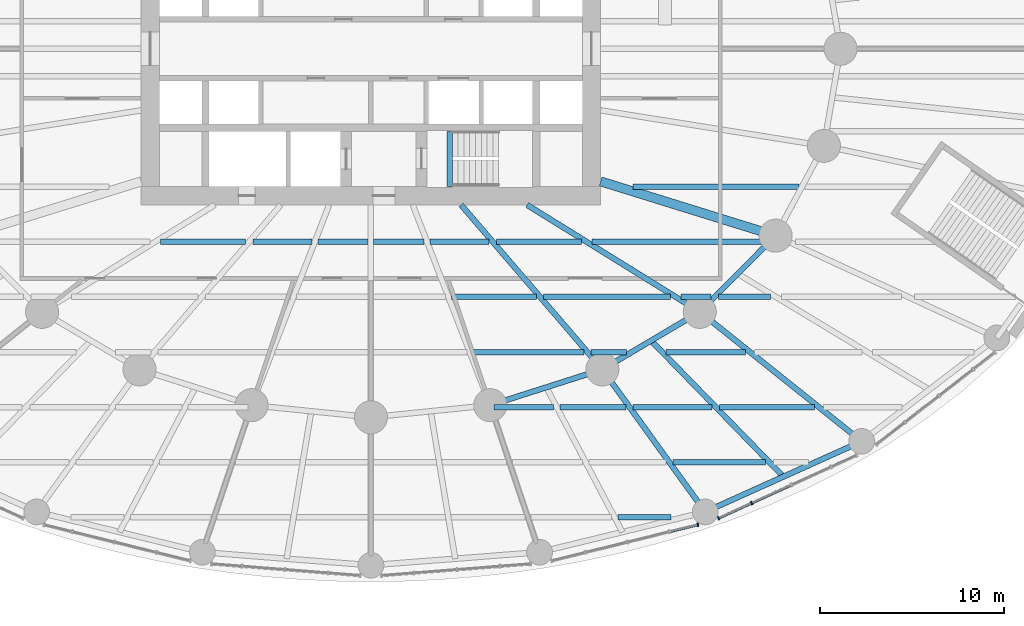
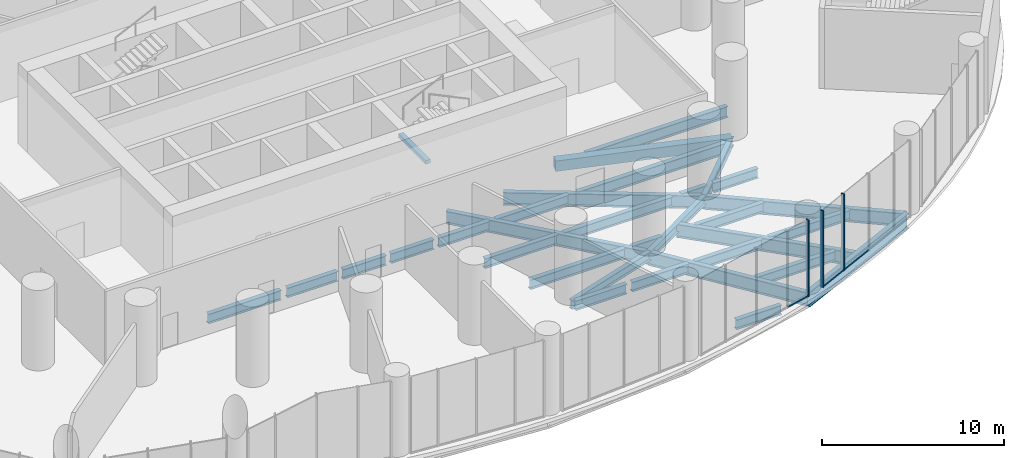
# One storey, part 5 of 23: 32 beams, 6 members, 2 elements without a shape of their own.
"""IFC4 building model written with IfcOpenShell, lengths in metres."""

from ifc_helpers import new_model, si_unit, direction, frame, origin, origin_2d, place, context, subcontext, project, spatial, rectangle, hollow_rectangle, i_section, extrude, material, material_profile, profile_set, type_object, element, aggregate, save


model = new_model("IFC4")

# Units and contexts
model_context = context("Model", 3, precision=1e-05, world=origin(), true_north=direction((0.0, 1.0)))
body_context = subcontext(model_context, "Body", "Model", "MODEL_VIEW")
ifc_project = project(units=[si_unit("LENGTHUNIT", "METRE"), si_unit("AREAUNIT", "SQUARE_METRE"), si_unit("VOLUMEUNIT", "CUBIC_METRE"), si_unit("PLANEANGLEUNIT", "RADIAN"), si_unit("MASSUNIT", "GRAM", prefix="KILO")], contexts=[model_context])

# Site, building, storey
site_placement = place(None, origin())
site = spatial("IfcSite", under=ifc_project, at=site_placement, CompositionType="ELEMENT")
building_placement = place(site_placement, origin())
building = spatial("IfcBuilding", under=site, at=building_placement, Name="Hankou Lantern Tower", CompositionType="ELEMENT")
storey_placement = place(building_placement, frame((0.0, 0.0, 19.199951171875)))
storey = spatial("IfcBuildingStorey", under=building, at=storey_placement, Name="L03", CompositionType="ELEMENT", Elevation=19.199951171875)

# Beams
ifc_material_1 = material(Name="Steel Q355B", Category="steel")
ifc_material_profile_1 = material_profile(ifc_material_1, i_section(OverallWidth=0.300048828125, OverallDepth=0.587890625, WebThickness=0.011962890625, FlangeThickness=0.02001953125, FilletRadius=0.01806640625, at=origin_2d()), Name="HM588x300x12x20")
ifc_profile_set_1 = profile_set([ifc_material_profile_1], Name="Steel Q355B")
beam_type_1 = type_object("IfcBeamType", Name="EB16 RING BEAM HM588x300x12x20", PredefinedType="SPANDREL", material=ifc_profile_set_1)
beam_1_placement = place(storey_placement, frame((6.494873046875, -19.391357421875, -0.5439453125), z_axis=(0.952690479428, 0.303942182671, 0.0), x_axis=(-0.303942182671, 0.952690479428, 0.0)))
element("IfcBeam", 1, at=beam_1_placement, inside=storey, type_object=beam_type_1, Name="Ring beam R20-R21 L03", PredefinedType="SPANDREL", context=body_context, shape_type="SweptSolid", body=[
    extrude(i_section(OverallWidth=0.300048828125, OverallDepth=0.587890625, WebThickness=0.011962890625, FlangeThickness=0.02001953125, FilletRadius=0.01806640625, at=origin_2d()), origin(), (0.0, 0.0, 1.0), 6.398681640625),
])
beam_2_placement = place(storey_placement, frame((12.5908203125, -17.446533203125, -0.5439453125), z_axis=(0.860881533543, 0.508805449268, 0.0), x_axis=(-0.508805449268, 0.860881533543, 0.0)))
element("IfcBeam", 2, at=beam_2_placement, inside=storey, type_object=beam_type_1, Name="Ring beam R21-R22 L03", PredefinedType="SPANDREL", context=body_context, shape_type="SweptSolid", body=[
    extrude(i_section(OverallWidth=0.300048828125, OverallDepth=0.587890625, WebThickness=0.011962890625, FlangeThickness=0.02001953125, FilletRadius=0.01806640625, at=origin_2d()), origin(), (0.0, 0.0, 1.0), 6.15771484375),
])
beam_3_placement = place(storey_placement, frame((17.891845703125, -14.3134765625, -0.5439453125), z_axis=(0.705727798394, 0.708483079949, 0.0), x_axis=(-0.708483079949, 0.705727798394, 0.0)))
element("IfcBeam", 3, at=beam_3_placement, inside=storey, type_object=beam_type_1, Name="Ring beam R22-R23 L03", PredefinedType="SPANDREL", context=body_context, shape_type="SweptSolid", body=[
    extrude(i_section(OverallWidth=0.300048828125, OverallDepth=0.587890625, WebThickness=0.011962890625, FlangeThickness=0.02001953125, FilletRadius=0.01806640625, at=origin_2d()), origin(), (0.0, 0.0, 1.0), 5.84814453125),
])
ifc_material_2 = material(Name="Concrete C40", Category="concrete")
ifc_material_profile_2 = material_profile(ifc_material_2, rectangle(XDim=0.300048828125, YDim=0.25, at=origin_2d()), Name="RC 300x250")
ifc_profile_set_2 = profile_set([ifc_material_profile_2], Name="Concrete C40")
beam_type_2 = type_object("IfcBeamType", Name="LB1 STAIR LANDING BEAM RC 300x250", PredefinedType="BEAM", material=ifc_profile_set_2)
beam_4_placement = place(storey_placement, frame((4.300048828125, -4.5, 2.574951171875), z_axis=(0.0, -1.0, 0.0), x_axis=(1.0, 0.0, 0.0)))
element("IfcBeam", 4, at=beam_4_placement, inside=storey, type_object=beam_type_2, Name="Stair STB landing beam L03", PredefinedType="BEAM", context=body_context, shape_type="SweptSolid", body=[
    extrude(rectangle(XDim=0.300048828125, YDim=0.25, at=origin_2d()), origin(), (0.0, 0.0, 1.0), 3.0),
])

# Curtain wall, member
ifc_material_3 = material(Name="Glass, dark grey tinted laminated", Category="glass")
curtain_wall_type = type_object("IfcCurtainWallType", Name="CWP PODIUM CURTAIN WALL", PredefinedType="USERDEFINED", material=ifc_material_3)
curtain_wall_1_placement = place(storey_placement, origin())
curtain_wall_1 = element("IfcCurtainWall", 5, at=curtain_wall_1_placement, inside=storey, type_object=curtain_wall_type, Name="CWP L03 PC16", ObjectType="PODIUM GLAZING", PredefinedType="USERDEFINED")
ifc_material_4 = material(Name="Aluminium, black anodised", Category="aluminium")
ifc_material_profile_3 = material_profile(ifc_material_4, rectangle(XDim=0.080078125, YDim=0.199951171875, at=origin_2d()), Name="MU2 80X200")
ifc_profile_set_3 = profile_set([ifc_material_profile_3], Name="Aluminium, black anodised")
member_type_1 = type_object("IfcMemberType", Name="MU2 PODIUM MULLION 80X200", PredefinedType="MULLION", material=ifc_profile_set_3)
member_1_placement = place(storey_placement, frame((17.785888671875, -25.892333984375, 0.0), z_axis=(0.0, 0.0, 1.0), x_axis=(0.970960955091, 0.239238006364, 0.0)))
member_1 = element("IfcMember", 6, at=member_1_placement, type_object=member_type_1, Name="CWP mullion 5", PredefinedType="MULLION", context=body_context, shape_type="SweptSolid", body=[
    extrude(rectangle(XDim=0.080078125, YDim=0.199951171875, at=origin_2d()), origin(), (0.0, 0.0, 1.0), 5.150146484375),
])

# Curtain wall, members
curtain_wall_2_placement = place(storey_placement, origin())
curtain_wall_2 = element("IfcCurtainWall", 7, at=curtain_wall_2_placement, inside=storey, type_object=curtain_wall_type, Name="CWP L03 PC17", ObjectType="PODIUM GLAZING", PredefinedType="USERDEFINED")
member_2_placement = place(storey_placement, frame((18.913818359375, -25.537841796875, 0.0), z_axis=(0.0, 0.0, 1.0), x_axis=(0.909669790944, 0.41533224224, 0.0)))
member_2 = element("IfcMember", 8, at=member_2_placement, type_object=member_type_1, Name="CWP mullion 1", PredefinedType="MULLION", context=body_context, shape_type="SweptSolid", body=[
    extrude(rectangle(XDim=0.080078125, YDim=0.199951171875, at=origin_2d()), origin(), (0.0, 0.0, 1.0), 5.150146484375),
])
member_3_placement = place(storey_placement, frame((20.711669921875, -24.717041015625, 0.0), z_axis=(0.0, 0.0, 1.0), x_axis=(0.909669790944, 0.41533224224, 0.0)))
member_3 = element("IfcMember", 9, at=member_3_placement, type_object=member_type_1, Name="CWP mullion 2", PredefinedType="MULLION", context=body_context, shape_type="SweptSolid", body=[
    extrude(rectangle(XDim=0.080078125, YDim=0.199951171875, at=origin_2d()), origin(), (0.0, 0.0, 1.0), 5.150146484375),
])

# Beams
ifc_material_5 = material(Name="Steel Q355B", Category="steel")
ifc_material_profile_4 = material_profile(ifc_material_5, i_section(OverallWidth=0.300048828125, OverallDepth=0.89990234375, WebThickness=0.01611328125, FlangeThickness=0.028076171875, FilletRadius=0.01806640625, at=origin_2d()), Name="HN900x300x16x28")
ifc_profile_set_4 = profile_set([ifc_material_profile_4], Name="Steel Q355B")
beam_type_3 = type_object("IfcBeamType", Name="PB13 PODIUM RADIAL BEAM HN900x300x16x28", PredefinedType="BEAM", material=ifc_profile_set_4)
beam_5_placement = place(storey_placement, frame((12.5908203125, -17.446533203125, -0.699951171875), z_axis=(0.585207097055, -0.810883871807, 0.0), x_axis=(0.810883871807, 0.585207097055, 0.0)))
element("IfcBeam", 10, at=beam_5_placement, inside=storey, type_object=beam_type_3, Name="Podium radial beam R21 L03", PredefinedType="BEAM", context=body_context, shape_type="SweptSolid", body=[
    extrude(i_section(OverallWidth=0.300048828125, OverallDepth=0.89990234375, WebThickness=0.01611328125, FlangeThickness=0.028076171875, FilletRadius=0.01806640625, at=origin_2d()), origin(), (0.0, 0.0, 1.0), 9.56103515625),
])
beam_6_placement = place(storey_placement, frame((17.891845703125, -14.3134765625, -0.699951171875), z_axis=(0.780875142676, -0.624687130931, 0.0), x_axis=(0.624687130931, 0.780875142676, 0.0)))
element("IfcBeam", 11, at=beam_6_placement, inside=storey, type_object=beam_type_3, Name="Podium radial beam R22 L03", PredefinedType="BEAM", context=body_context, shape_type="SweptSolid", body=[
    extrude(i_section(OverallWidth=0.300048828125, OverallDepth=0.89990234375, WebThickness=0.01611328125, FlangeThickness=0.028076171875, FilletRadius=0.01806640625, at=origin_2d()), origin(), (0.0, 0.0, 1.0), 11.28271484375),
])
ifc_material_6 = material(Name="Steel Q355B", Category="steel")
ifc_material_profile_5 = material_profile(ifc_material_6, i_section(OverallWidth=0.300048828125, OverallDepth=1.0, WebThickness=0.01904296875, FlangeThickness=0.035888671875, FilletRadius=0.01806640625, at=origin_2d()), Name="HN1000x300x19x36")
ifc_profile_set_5 = profile_set([ifc_material_profile_5], Name="Steel Q355B")
beam_type_4 = type_object("IfcBeamType", Name="PR22 PODIUM RING BEAM HN1000x300x19x36", PredefinedType="BEAM", material=ifc_profile_set_5)
beam_7_placement = place(storey_placement, frame((18.18603515625, -25.199462890625, -0.75), z_axis=(0.911695429723, 0.410866697874, 0.0), x_axis=(-0.410866697874, 0.911695429723, 0.0)))
element("IfcBeam", 12, at=beam_7_placement, inside=storey, type_object=beam_type_4, Name="Podium ring beam R21-R22 L03", PredefinedType="BEAM", context=body_context, shape_type="SweptSolid", body=[
    extrude(i_section(OverallWidth=0.300048828125, OverallDepth=1.0, WebThickness=0.01904296875, FlangeThickness=0.035888671875, FilletRadius=0.01806640625, at=origin_2d()), origin(), (0.0, 0.0, 1.0), 9.341064453125),
])
ifc_material_7 = material(Name="Steel Q355B", Category="steel")
ifc_material_profile_6 = material_profile(ifc_material_7, i_section(OverallWidth=0.300048828125, OverallDepth=0.89990234375, WebThickness=0.01611328125, FlangeThickness=0.028076171875, FilletRadius=0.01806640625, at=origin_2d()), Name="HN900x300x16x28")
ifc_profile_set_6 = profile_set([ifc_material_profile_6], Name="Steel Q355B")
beam_type_5 = type_object("IfcBeamType", Name="PS13 PODIUM SECONDARY BEAM HN900x300x16x28", PredefinedType="JOIST", material=ifc_profile_set_6)
beam_8_placement = place(storey_placement, frame((15.2412109375, -15.8798828125, -0.699951171875), z_axis=(0.697467529957, -0.716616385981, 0.0), x_axis=(0.716616385981, 0.697467529957, 0.0)))
element("IfcBeam", 13, at=beam_8_placement, inside=storey, type_object=beam_type_5, Name="Podium secondary beam bay R21 L03", PredefinedType="JOIST", context=body_context, shape_type="SweptSolid", body=[
    extrude(i_section(OverallWidth=0.300048828125, OverallDepth=0.89990234375, WebThickness=0.01611328125, FlangeThickness=0.028076171875, FilletRadius=0.01806640625, at=origin_2d()), origin(), (0.0, 0.0, 1.0), 10.3271484375),
])
ifc_material_8 = material(Name="Steel Q355B", Category="steel")
ifc_material_profile_7 = material_profile(ifc_material_8, i_section(OverallWidth=0.300048828125, OverallDepth=0.85009765625, WebThickness=0.01611328125, FlangeThickness=0.027099609375, FilletRadius=0.01806640625, at=origin_2d()), Name="HN850x300x16x27")
ifc_profile_set_7 = profile_set([ifc_material_profile_7], Name="Steel Q355B")
beam_type_6 = type_object("IfcBeamType", Name="RB12 RADIAL BEAM HN850x300x16x27", PredefinedType="BEAM", material=ifc_profile_set_7)
beam_9_placement = place(storey_placement, frame((4.907470703125, -8.5, -0.675048828125), z_axis=(0.651519061225, -0.758632264579, 0.0), x_axis=(0.758632264579, 0.651519061225, 0.0)))
element("IfcBeam", 14, at=beam_9_placement, inside=storey, type_object=beam_type_6, Name="Radial beam R21 L03", PredefinedType="BEAM", context=body_context, shape_type="SweptSolid", body=[
    extrude(i_section(OverallWidth=0.300048828125, OverallDepth=0.85009765625, WebThickness=0.01611328125, FlangeThickness=0.027099609375, FilletRadius=0.01806640625, at=origin_2d()), origin(), (0.0, 0.0, 1.0), 11.79296875),
])
beam_10_placement = place(storey_placement, frame((8.5, -8.5, -0.675048828125), z_axis=(0.850286343288, -0.526320372414, 0.0), x_axis=(0.526320372414, 0.850286343288, 0.0)))
element("IfcBeam", 15, at=beam_10_placement, inside=storey, type_object=beam_type_6, Name="Radial beam R22 L03", PredefinedType="BEAM", context=body_context, shape_type="SweptSolid", body=[
    extrude(i_section(OverallWidth=0.300048828125, OverallDepth=0.85009765625, WebThickness=0.01611328125, FlangeThickness=0.027099609375, FilletRadius=0.01806640625, at=origin_2d()), origin(), (0.0, 0.0, 1.0), 11.04541015625),
])
ifc_material_9 = material(Name="Steel Q355B", Category="steel")
ifc_material_profile_8 = material_profile(ifc_material_9, hollow_rectangle(XDim=0.5, YDim=0.699951171875, WallThickness=0.0400390625, at=origin_2d()), Name="BOX700x500x40")
ifc_profile_set_8 = profile_set([ifc_material_profile_8], Name="Steel Q355B")
beam_type_7 = type_object("IfcBeamType", Name="RB25 RADIAL BEAM BOX700x500x40", PredefinedType="BEAM", material=ifc_profile_set_8)
beam_11_placement = place(storey_placement, frame((12.5, -7.216796875, -0.599853515625), z_axis=(0.955087327755, -0.29632447817, 0.0), x_axis=(0.29632447817, 0.955087327755, 0.0)))
element("IfcBeam", 16, at=beam_11_placement, inside=storey, type_object=beam_type_7, Name="Radial beam R23 L03", PredefinedType="BEAM", context=body_context, shape_type="SweptSolid", body=[
    extrude(hollow_rectangle(XDim=0.5, YDim=0.699951171875, WallThickness=0.0400390625, at=origin_2d()), origin(), (0.0, 0.0, 1.0), 9.966552734375),
])
ifc_material_10 = material(Name="Steel Q355B", Category="steel")
ifc_material_profile_9 = material_profile(ifc_material_10, i_section(OverallWidth=0.300048828125, OverallDepth=0.75, WebThickness=0.012939453125, FlangeThickness=0.02392578125, FilletRadius=0.01806640625, at=origin_2d()), Name="HN750x300x13x24")
ifc_profile_set_9 = profile_set([ifc_material_profile_9], Name="Steel Q355B")
beam_type_8 = type_object("IfcBeamType", Name="SB10 SECONDARY BEAM HN750x300x13x24", PredefinedType="JOIST", material=ifc_profile_set_9)
beam_12_placement = place(storey_placement, frame((12.01611328125, -10.5, -0.625), z_axis=(1.0, 0.0, 0.0), x_axis=(0.0, 1.0, 0.0)))
element("IfcBeam", 17, at=beam_12_placement, inside=storey, type_object=beam_type_8, Name="Floor joist J067 L03", PredefinedType="JOIST", context=body_context, shape_type="SweptSolid", body=[
    extrude(i_section(OverallWidth=0.300048828125, OverallDepth=0.75, WebThickness=0.012939453125, FlangeThickness=0.02392578125, FilletRadius=0.01806640625, at=origin_2d()), origin(), (0.0, 0.0, 1.0), 9.462646484375),
])
beam_13_placement = place(storey_placement, frame((14.25634765625, -7.5, -0.625), z_axis=(1.0, 0.0, 0.0), x_axis=(0.0, 1.0, 0.0)))
element("IfcBeam", 18, at=beam_13_placement, inside=storey, type_object=beam_type_8, Name="Floor joist J072 L03", PredefinedType="JOIST", context=body_context, shape_type="SweptSolid", body=[
    extrude(i_section(OverallWidth=0.300048828125, OverallDepth=0.75, WebThickness=0.012939453125, FlangeThickness=0.02392578125, FilletRadius=0.01806640625, at=origin_2d()), origin(), (0.0, 0.0, 1.0), 9.0283203125),
])
ifc_material_11 = material(Name="Steel Q355B", Category="steel")
ifc_material_profile_10 = material_profile(ifc_material_11, i_section(OverallWidth=0.300048828125, OverallDepth=0.64990234375, WebThickness=0.010986328125, FlangeThickness=0.01708984375, FilletRadius=0.01806640625, at=origin_2d()), Name="HN650x300x11x17")
ifc_profile_set_10 = profile_set([ifc_material_profile_10], Name="Steel Q355B")
beam_type_9 = type_object("IfcBeamType", Name="SB8 SECONDARY BEAM HN650x300x11x17", PredefinedType="JOIST", material=ifc_profile_set_10)
beam_14_placement = place(storey_placement, frame((13.431884765625, -25.5, -0.574951171875), z_axis=(1.0, 0.0, 0.0), x_axis=(0.0, 1.0, 0.0)))
element("IfcBeam", 19, at=beam_14_placement, inside=storey, type_object=beam_type_9, Name="Floor joist J008 L03", PredefinedType="JOIST", context=body_context, shape_type="SweptSolid", body=[
    extrude(i_section(OverallWidth=0.300048828125, OverallDepth=0.64990234375, WebThickness=0.010986328125, FlangeThickness=0.01708984375, FilletRadius=0.01806640625, at=origin_2d()), origin(), (0.0, 0.0, 1.0), 2.883544921875),
])
beam_15_placement = place(storey_placement, frame((16.423095703125, -22.5, -0.574951171875), z_axis=(1.0, 0.0, 0.0), x_axis=(0.0, 1.0, 0.0)))
element("IfcBeam", 20, at=beam_15_placement, inside=storey, type_object=beam_type_9, Name="Floor joist J019 L03", PredefinedType="JOIST", context=body_context, shape_type="SweptSolid", body=[
    extrude(i_section(OverallWidth=0.300048828125, OverallDepth=0.64990234375, WebThickness=0.010986328125, FlangeThickness=0.01708984375, FilletRadius=0.01806640625, at=origin_2d()), origin(), (0.0, 0.0, 1.0), 5.052001953125),
])
beam_16_placement = place(storey_placement, frame((6.689453125, -19.5, -0.574951171875), z_axis=(1.0, 0.0, 0.0), x_axis=(0.0, 1.0, 0.0)))
element("IfcBeam", 21, at=beam_16_placement, inside=storey, type_object=beam_type_9, Name="Floor joist J028 L03", PredefinedType="JOIST", context=body_context, shape_type="SweptSolid", body=[
    extrude(i_section(OverallWidth=0.300048828125, OverallDepth=0.64990234375, WebThickness=0.010986328125, FlangeThickness=0.01708984375, FilletRadius=0.01806640625, at=origin_2d()), origin(), (0.0, 0.0, 1.0), 3.251953125),
])
beam_17_placement = place(storey_placement, frame((10.2802734375, -19.5, -0.574951171875), z_axis=(1.0, 0.0, 0.0), x_axis=(0.0, 1.0, 0.0)))
element("IfcBeam", 22, at=beam_17_placement, inside=storey, type_object=beam_type_9, Name="Floor joist J029 L03", PredefinedType="JOIST", context=body_context, shape_type="SweptSolid", body=[
    extrude(i_section(OverallWidth=0.300048828125, OverallDepth=0.64990234375, WebThickness=0.010986328125, FlangeThickness=0.01708984375, FilletRadius=0.01806640625, at=origin_2d()), origin(), (0.0, 0.0, 1.0), 3.607666015625),
])
beam_18_placement = place(storey_placement, frame((14.2578125, -19.5, -0.574951171875), z_axis=(1.0, 0.0, 0.0), x_axis=(0.0, 1.0, 0.0)))
element("IfcBeam", 23, at=beam_18_placement, inside=storey, type_object=beam_type_9, Name="Floor joist J030 L03", PredefinedType="JOIST", context=body_context, shape_type="SweptSolid", body=[
    extrude(i_section(OverallWidth=0.300048828125, OverallDepth=0.64990234375, WebThickness=0.010986328125, FlangeThickness=0.01708984375, FilletRadius=0.01806640625, at=origin_2d()), origin(), (0.0, 0.0, 1.0), 4.29736328125),
])
beam_19_placement = place(storey_placement, frame((18.973876953125, -19.5, -0.574951171875), z_axis=(1.0, 0.0, 0.0), x_axis=(0.0, 1.0, 0.0)))
element("IfcBeam", 24, at=beam_19_placement, inside=storey, type_object=beam_type_9, Name="Floor joist J031 L03", PredefinedType="JOIST", context=body_context, shape_type="SweptSolid", body=[
    extrude(i_section(OverallWidth=0.300048828125, OverallDepth=0.64990234375, WebThickness=0.010986328125, FlangeThickness=0.01708984375, FilletRadius=0.01806640625, at=origin_2d()), origin(), (0.0, 0.0, 1.0), 5.160888671875),
])
beam_20_placement = place(storey_placement, frame((5.5361328125, -16.5, -0.574951171875), z_axis=(1.0, 0.0, 0.0), x_axis=(0.0, 1.0, 0.0)))
element("IfcBeam", 25, at=beam_20_placement, inside=storey, type_object=beam_type_9, Name="Floor joist J040 L03", PredefinedType="JOIST", context=body_context, shape_type="SweptSolid", body=[
    extrude(i_section(OverallWidth=0.300048828125, OverallDepth=0.64990234375, WebThickness=0.010986328125, FlangeThickness=0.01708984375, FilletRadius=0.01806640625, at=origin_2d()), origin(), (0.0, 0.0, 1.0), 6.044189453125),
])
beam_21_placement = place(storey_placement, frame((11.975830078125, -16.5, -0.574951171875), z_axis=(1.0, 0.0, 0.0), x_axis=(0.0, 1.0, 0.0)))
element("IfcBeam", 26, at=beam_21_placement, inside=storey, type_object=beam_type_9, Name="Floor joist J041 L03", PredefinedType="JOIST", context=body_context, shape_type="SweptSolid", body=[
    extrude(i_section(OverallWidth=0.300048828125, OverallDepth=0.64990234375, WebThickness=0.010986328125, FlangeThickness=0.01708984375, FilletRadius=0.01806640625, at=origin_2d()), origin(), (0.0, 0.0, 1.0), 1.921630859375),
])
beam_22_placement = place(storey_placement, frame((16.05419921875, -16.5, -0.574951171875), z_axis=(1.0, 0.0, 0.0), x_axis=(0.0, 1.0, 0.0)))
element("IfcBeam", 27, at=beam_22_placement, inside=storey, type_object=beam_type_9, Name="Floor joist J042 L03", PredefinedType="JOIST", context=body_context, shape_type="SweptSolid", body=[
    extrude(i_section(OverallWidth=0.300048828125, OverallDepth=0.64990234375, WebThickness=0.010986328125, FlangeThickness=0.01708984375, FilletRadius=0.01806640625, at=origin_2d()), origin(), (0.0, 0.0, 1.0), 4.33056640625),
])
beam_23_placement = place(storey_placement, frame((4.37451171875, -13.5, -0.574951171875), z_axis=(1.0, 0.0, 0.0), x_axis=(0.0, 1.0, 0.0)))
element("IfcBeam", 28, at=beam_23_placement, inside=storey, type_object=beam_type_9, Name="Floor joist J053 L03", PredefinedType="JOIST", context=body_context, shape_type="SweptSolid", body=[
    extrude(i_section(OverallWidth=0.300048828125, OverallDepth=0.64990234375, WebThickness=0.010986328125, FlangeThickness=0.01708984375, FilletRadius=0.01806640625, at=origin_2d()), origin(), (0.0, 0.0, 1.0), 4.62939453125),
])
beam_24_placement = place(storey_placement, frame((9.3994140625, -13.5, -0.574951171875), z_axis=(1.0, 0.0, 0.0), x_axis=(0.0, 1.0, 0.0)))
element("IfcBeam", 29, at=beam_24_placement, inside=storey, type_object=beam_type_9, Name="Floor joist J054 L03", PredefinedType="JOIST", context=body_context, shape_type="SweptSolid", body=[
    extrude(i_section(OverallWidth=0.300048828125, OverallDepth=0.64990234375, WebThickness=0.010986328125, FlangeThickness=0.01708984375, FilletRadius=0.01806640625, at=origin_2d()), origin(), (0.0, 0.0, 1.0), 6.893310546875),
])
beam_25_placement = place(storey_placement, frame((16.86279296875, -13.5, -0.574951171875), z_axis=(1.0, 0.0, 0.0), x_axis=(0.0, 1.0, 0.0)))
element("IfcBeam", 30, at=beam_25_placement, inside=storey, type_object=beam_type_9, Name="Floor joist J055 L03", PredefinedType="JOIST", context=body_context, shape_type="SweptSolid", body=[
    extrude(i_section(OverallWidth=0.300048828125, OverallDepth=0.64990234375, WebThickness=0.010986328125, FlangeThickness=0.01708984375, FilletRadius=0.01806640625, at=origin_2d()), origin(), (0.0, 0.0, 1.0), 1.62744140625),
])
beam_26_placement = place(storey_placement, frame((18.913818359375, -13.5, -0.574951171875), z_axis=(1.0, 0.0, 0.0), x_axis=(0.0, 1.0, 0.0)))
element("IfcBeam", 31, at=beam_26_placement, inside=storey, type_object=beam_type_9, Name="Floor joist J056 L03", PredefinedType="JOIST", context=body_context, shape_type="SweptSolid", body=[
    extrude(i_section(OverallWidth=0.300048828125, OverallDepth=0.64990234375, WebThickness=0.010986328125, FlangeThickness=0.01708984375, FilletRadius=0.01806640625, at=origin_2d()), origin(), (0.0, 0.0, 1.0), 2.832275390625),
])
beam_27_placement = place(storey_placement, frame((-11.446044921875, -10.5, -0.574951171875), z_axis=(1.0, 0.0, 0.0), x_axis=(0.0, 1.0, 0.0)))
element("IfcBeam", 32, at=beam_27_placement, inside=storey, type_object=beam_type_9, Name="Floor joist J061 L03", PredefinedType="JOIST", context=body_context, shape_type="SweptSolid", body=[
    extrude(i_section(OverallWidth=0.300048828125, OverallDepth=0.64990234375, WebThickness=0.010986328125, FlangeThickness=0.01708984375, FilletRadius=0.01806640625, at=origin_2d()), origin(), (0.0, 0.0, 1.0), 4.623291015625),
])
beam_28_placement = place(storey_placement, frame((-6.427490234375, -10.5, -0.574951171875), z_axis=(1.0, 0.0, 0.0), x_axis=(0.0, 1.0, 0.0)))
element("IfcBeam", 33, at=beam_28_placement, inside=storey, type_object=beam_type_9, Name="Floor joist J062 L03", PredefinedType="JOIST", context=body_context, shape_type="SweptSolid", body=[
    extrude(i_section(OverallWidth=0.300048828125, OverallDepth=0.64990234375, WebThickness=0.010986328125, FlangeThickness=0.01708984375, FilletRadius=0.01806640625, at=origin_2d()), origin(), (0.0, 0.0, 1.0), 3.214599609375),
])
for number, where, z_axis, x_axis, name in (
    (34, (-2.89111328125, -10.5, -0.574951171875), (1.0, 0.0, 0.0), (0.0, 1.0, 0.0), "Floor joist J063 L03"),
    (35, (0.14990234375, -10.5, -0.574951171875), (1.0, 0.0, 0.0), (0.0, 1.0, 0.0), "Floor joist J064 L03"),
):
    element("IfcBeam", number, at=place(storey_placement, frame(where, z_axis=z_axis, x_axis=x_axis)), inside=storey, type_object=beam_type_9, Name=name, PredefinedType="JOIST", context=body_context, shape_type="SweptSolid", body=[
        extrude(i_section(OverallWidth=0.300048828125, OverallDepth=0.64990234375, WebThickness=0.010986328125, FlangeThickness=0.01708984375, FilletRadius=0.01806640625, at=origin_2d()), origin(), (0.0, 0.0, 1.0), 2.7412109375),
    ])
beam_29_placement = place(storey_placement, frame((3.212890625, -10.5, -0.574951171875), z_axis=(1.0, 0.0, 0.0), x_axis=(0.0, 1.0, 0.0)))
element("IfcBeam", 36, at=beam_29_placement, inside=storey, type_object=beam_type_9, Name="Floor joist J065 L03", PredefinedType="JOIST", context=body_context, shape_type="SweptSolid", body=[
    extrude(i_section(OverallWidth=0.300048828125, OverallDepth=0.64990234375, WebThickness=0.010986328125, FlangeThickness=0.01708984375, FilletRadius=0.01806640625, at=origin_2d()), origin(), (0.0, 0.0, 1.0), 3.214599609375),
])
beam_30_placement = place(storey_placement, frame((6.82275390625, -10.5, -0.574951171875), z_axis=(1.0, 0.0, 0.0), x_axis=(0.0, 1.0, 0.0)))
element("IfcBeam", 37, at=beam_30_placement, inside=storey, type_object=beam_type_9, Name="Floor joist J066 L03", PredefinedType="JOIST", context=body_context, shape_type="SweptSolid", body=[
    extrude(i_section(OverallWidth=0.300048828125, OverallDepth=0.64990234375, WebThickness=0.010986328125, FlangeThickness=0.01708984375, FilletRadius=0.01806640625, at=origin_2d()), origin(), (0.0, 0.0, 1.0), 4.623291015625),
])

# Member
ifc_material_12 = material(Name="Aluminium, black anodised", Category="aluminium")
ifc_material_profile_11 = material_profile(ifc_material_12, rectangle(XDim=0.14990234375, YDim=0.080078125, at=origin_2d()), Name="TR2 150X80")
ifc_profile_set_11 = profile_set([ifc_material_profile_11], Name="Aluminium, black anodised")
member_type_2 = type_object("IfcMemberType", Name="TR2 PODIUM TRANSOM 150X80", PredefinedType="USERDEFINED", material=ifc_profile_set_11)
member_4_placement = place(storey_placement, frame((16.293212890625, -26.260009765625, 0.0400390625), z_axis=(0.970971197991, 0.239196431142, 0.0), x_axis=(-0.239196431142, 0.970971197991, 0.0)))
member_4 = element("IfcMember", 38, at=member_4_placement, type_object=member_type_2, Name="CWP transom 4", ObjectType="TRANSOM", PredefinedType="USERDEFINED", context=body_context, shape_type="SweptSolid", body=[
    extrude(rectangle(XDim=0.14990234375, YDim=0.080078125, at=origin_2d()), origin(), (0.0, 0.0, 1.0), 1.497314453125),
])

aggregate(curtain_wall_1, [member_1, member_4])

member_5_placement = place(storey_placement, frame((18.9501953125, -25.521240234375, 0.0400390625), z_axis=(0.909677430468, 0.41531550958, 0.0), x_axis=(-0.41531550958, 0.909677430468, 0.0)))
member_5 = element("IfcMember", 39, at=member_5_placement, type_object=member_type_2, Name="CWP transom 1", ObjectType="TRANSOM", PredefinedType="USERDEFINED", context=body_context, shape_type="SweptSolid", body=[
    extrude(rectangle(XDim=0.14990234375, YDim=0.080078125, at=origin_2d()), origin(), (0.0, 0.0, 1.0), 1.896484375),
])

member_6_placement = place(storey_placement, frame((20.748046875, -24.700439453125, 0.0400390625), z_axis=(0.909669664149, 0.415332519949, 0.0), x_axis=(-0.415332519949, 0.909669664149, 0.0)))
member_6 = element("IfcMember", 40, at=member_6_placement, type_object=member_type_2, Name="CWP transom 2", ObjectType="TRANSOM", PredefinedType="USERDEFINED", context=body_context, shape_type="SweptSolid", body=[
    extrude(rectangle(XDim=0.14990234375, YDim=0.080078125, at=origin_2d()), origin(), (0.0, 0.0, 1.0), 2.296142578125),
])

aggregate(curtain_wall_2, [member_2, member_3, member_5, member_6])

save(model, "model.ifc")
